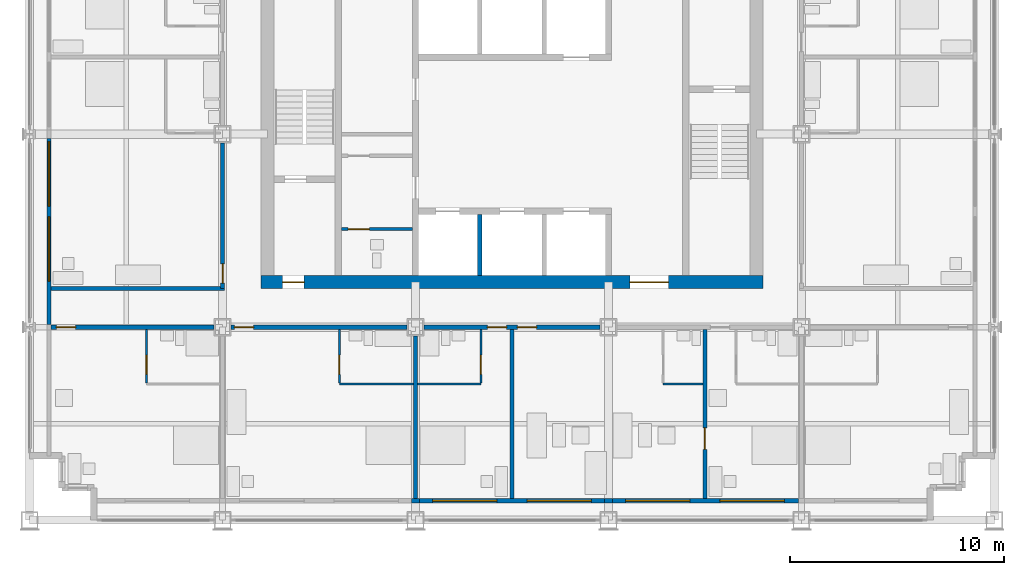
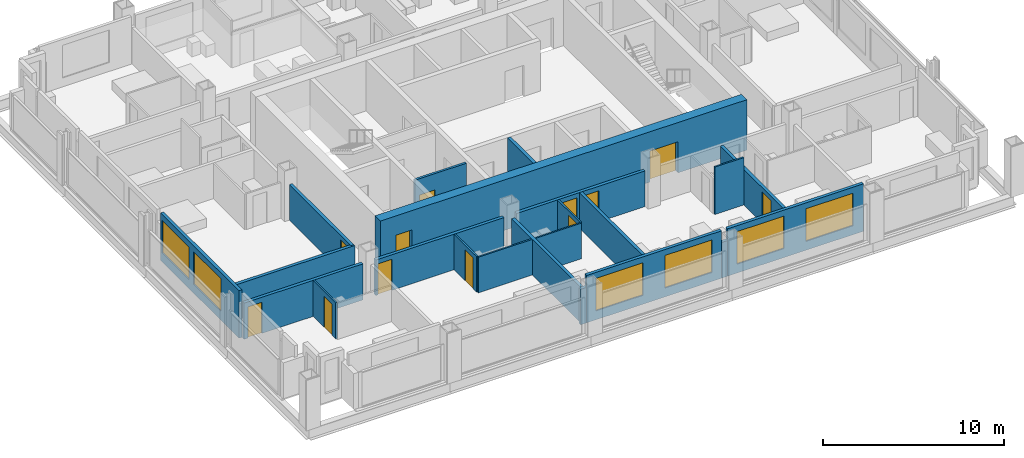
# One storey, part 9 of 16: 22 walls, 12 doors, 6 windows, 18 openings.
"""IFC4 building model written with IfcOpenShell, lengths in metres."""

from ifc_helpers import new_model, si_unit, direction, frame, frame_2d, origin, place, context, subcontext, project, spatial, rectangle, extrude, material, layer, layer_set, type_object, element, fill, save


model = new_model("IFC4")

# Units and contexts
model_context = context("Model", 3, precision=1e-05, world=origin(), true_north=direction((0.0, 1.0)))
body_context = subcontext(model_context, "Body", "Model", "MODEL_VIEW")
ifc_project = project(units=[si_unit("LENGTHUNIT", "METRE"), si_unit("AREAUNIT", "SQUARE_METRE"), si_unit("VOLUMEUNIT", "CUBIC_METRE"), si_unit("PLANEANGLEUNIT", "RADIAN"), si_unit("MASSUNIT", "GRAM", prefix="KILO")], contexts=[model_context])

# Site, building, storey
site_placement = place(None, origin())
site = spatial("IfcSite", under=ifc_project, at=site_placement, CompositionType="ELEMENT")
building_placement = place(site_placement, origin())
building = spatial("IfcBuilding", under=site, at=building_placement, Name="Loomwork Tower", CompositionType="ELEMENT")
storey_placement = place(building_placement, frame((0.0, 0.0, 148.60009765625)))
storey = spatial("IfcBuildingStorey", under=building, at=storey_placement, Name="L40", CompositionType="ELEMENT", Elevation=148.60009765625)

# Wall, openings, doors
ifc_material_1 = material(Name="Concrete 14000 psi (97 MPa)", Category="concrete")
ifc_layer_1 = layer(ifc_material_1, 0.60009765625)
ifc_layer_set_1 = layer_set([ifc_layer_1], Name="Core shear wall 600")
wall_type_1 = type_object("IfcWallType", Name="Core shear wall 600", PredefinedType="SHEAR", material=ifc_layer_set_1)
wall_1_placement = place(storey_placement, frame((10.800048828125, 11.10009765625, 0.0), z_axis=(0.0, 0.0, 1.0), x_axis=(1.0, 0.0, 0.0)))
wall_1 = element("IfcWall", 1, at=wall_1_placement, inside=storey, type_object=wall_type_1, Name="Core wall south L40", PredefinedType="SHEAR", context=body_context, shape_type="SweptSolid", body=[
    extrude(rectangle(XDim=23.39990234375, YDim=0.60009765625, at=frame_2d((11.699951171875, 0.0))), origin(), (0.0, 0.0, 1.0), 3.39990234375),
])
opening_1_placement = place(wall_1_placement, frame((1.0, 0.0, 0.0)))
opening_1 = element("IfcOpeningElement", 2, at=opening_1_placement, cuts=wall_1, Name="Opening D4", PredefinedType="OPENING", context=body_context, shape_type="SweptSolid", body=[
    extrude(rectangle(XDim=1.0, YDim=2.10009765625, at=frame_2d((0.5, 1.050048828125))), frame((0.0, 0.31005859375, 0.0), z_axis=(0.0, -1.0, 0.0), x_axis=(1.0, 0.0, 0.0)), (0.0, 0.0, 1.0), 0.6201171875),
])
opening_2_placement = place(wall_1_placement, frame((17.199951171875, 0.0, 0.0)))
opening_2 = element("IfcOpeningElement", 3, at=opening_2_placement, cuts=wall_1, Name="Opening D6", PredefinedType="OPENING", context=body_context, shape_type="SweptSolid", body=[
    extrude(rectangle(XDim=1.800048828125, YDim=2.10009765625, at=frame_2d((0.89990234375, 1.050048828125))), frame((0.0, 0.31005859375, 0.0), z_axis=(0.0, -1.0, 0.0), x_axis=(1.0, 0.0, 0.0)), (0.0, 0.0, 1.0), 0.6201171875),
])
ifc_material_2 = material(Name="Hollow metal door and frame")
door_type_1 = type_object("IfcDoorType", Name="Lobby passage double door 1800", OperationType="DOUBLE_DOOR_SINGLE_SWING", PredefinedType="DOOR", material=ifc_material_2)
door_1_placement = place(opening_2_placement, origin())
door_1 = element("IfcDoor", 4, at=door_1_placement, inside=storey, type_object=door_type_1, Name="Lobby passage door south", OperationType="DOUBLE_DOOR_SINGLE_SWING", OverallHeight=2.10009765625, OverallWidth=1.800048828125, PredefinedType="DOOR", context=body_context, shape_type="SweptSolid", body=[
    extrude(rectangle(XDim=1.800048828125, YDim=2.10009765625, at=frame_2d((0.89990234375, 1.050048828125))), frame((0.0, 0.02490234375, 0.0), z_axis=(0.0, -1.0, 0.0), x_axis=(1.0, 0.0, 0.0)), (0.0, 0.0, 1.0), 0.050048828125),
])
fill(opening_2, door_1)
ifc_material_3 = material(Name="Hollow metal door and frame")
door_type_2 = type_object("IfcDoorType", Name="Stair door 1000", OperationType="SINGLE_SWING_RIGHT", PredefinedType="DOOR", material=ifc_material_3)
door_2_placement = place(opening_1_placement, origin())
door_2 = element("IfcDoor", 5, at=door_2_placement, inside=storey, type_object=door_type_2, Name="Stair A vestibule door", OperationType="SINGLE_SWING_LEFT", OverallHeight=2.10009765625, OverallWidth=1.0, PredefinedType="DOOR", context=body_context, shape_type="SweptSolid", body=[
    extrude(rectangle(XDim=1.0, YDim=2.10009765625, at=frame_2d((0.5, 1.050048828125))), frame((0.0, 0.02490234375, 0.0), z_axis=(0.0, -1.0, 0.0), x_axis=(1.0, 0.0, 0.0)), (0.0, 0.0, 1.0), 0.050048828125),
])
fill(opening_1, door_2)

# Wall, opening, door
ifc_material_4 = material(Name="Gypsum board on steel studs, one-hour", Category="steel")
ifc_layer_2 = layer(ifc_material_4, 0.199951171875)
ifc_layer_set_2 = layer_set([ifc_layer_2], Name="Corridor wall 200")
wall_type_2 = type_object("IfcWallType", Name="Corridor wall 200", PredefinedType="PARTITIONING", material=ifc_layer_set_2)
wall_2_placement = place(storey_placement, frame((1.0, 9.0, 0.0), z_axis=(0.0, 0.0, 1.0), x_axis=(1.0, 0.0, 0.0)))
wall_2 = element("IfcWall", 6, at=wall_2_placement, inside=storey, type_object=wall_type_2, Name="South corridor wall 1", PredefinedType="PARTITIONING", context=body_context, shape_type="SweptSolid", body=[
    extrude(rectangle(XDim=7.60009765625, YDim=0.199951171875, at=frame_2d((3.800048828125, 0.0))), origin(), (0.0, 0.0, 1.0), 2.43798828125),
])
opening_3_placement = place(wall_2_placement, frame((0.25, 0.0, 0.0)))
opening_3 = element("IfcOpeningElement", 7, at=opening_3_placement, cuts=wall_2, Name="Opening D1", PredefinedType="OPENING", context=body_context, shape_type="SweptSolid", body=[
    extrude(rectangle(XDim=0.89990234375, YDim=2.10009765625, at=frame_2d((0.449951171875, 1.050048828125))), frame((0.0, 0.10986328125, 0.0), z_axis=(0.0, -1.0, 0.0), x_axis=(1.0, 0.0, 0.0)), (0.0, 0.0, 1.0), 0.219970703125),
])
ifc_material_5 = material(Name="Hollow metal door and frame")
door_type_3 = type_object("IfcDoorType", Name="Guest room entry door 900", OperationType="SINGLE_SWING_LEFT", PredefinedType="DOOR", material=ifc_material_5)
door_3_placement = place(opening_3_placement, frame((0.89990234375, 0.0, 0.0), z_axis=(0.0, 0.0, 1.0), x_axis=(-1.0, 0.0, 0.0)))
door_3 = element("IfcDoor", 8, at=door_3_placement, inside=storey, type_object=door_type_3, Name="Guest room entry door L40 1", OperationType="SINGLE_SWING_RIGHT", OverallHeight=2.10009765625, OverallWidth=0.89990234375, PredefinedType="DOOR", context=body_context, shape_type="SweptSolid", body=[
    extrude(rectangle(XDim=0.89990234375, YDim=2.10009765625, at=frame_2d((0.449951171875, 1.050048828125))), frame((0.0, 0.02490234375, 0.0), z_axis=(0.0, -1.0, 0.0), x_axis=(1.0, 0.0, 0.0)), (0.0, 0.0, 1.0), 0.050048828125),
])
fill(opening_3, door_3)

wall_3_placement = place(storey_placement, frame((9.39990234375, 9.0, 0.0), z_axis=(0.0, 0.0, 1.0), x_axis=(1.0, 0.0, 0.0)))
wall_3 = element("IfcWall", 9, at=wall_3_placement, inside=storey, type_object=wall_type_2, Name="South corridor wall 2", PredefinedType="PARTITIONING", context=body_context, shape_type="SweptSolid", body=[
    extrude(rectangle(XDim=8.2001953125, YDim=0.199951171875, at=frame_2d((4.10009765625, 0.0))), origin(), (0.0, 0.0, 1.0), 2.40478515625),
])
opening_4_placement = place(wall_3_placement, frame((0.14990234375, 0.0, 0.0)))
opening_4 = element("IfcOpeningElement", 10, at=opening_4_placement, cuts=wall_3, Name="Opening D1", PredefinedType="OPENING", context=body_context, shape_type="SweptSolid", body=[
    extrude(rectangle(XDim=0.89990234375, YDim=2.10009765625, at=frame_2d((0.449951171875, 1.050048828125))), frame((0.0, 0.10986328125, 0.0), z_axis=(0.0, -1.0, 0.0), x_axis=(1.0, 0.0, 0.0)), (0.0, 0.0, 1.0), 0.219970703125),
])
door_4_placement = place(opening_4_placement, frame((0.89990234375, 0.0, 0.0), z_axis=(0.0, 0.0, 1.0), x_axis=(-1.0, 0.0, 0.0)))
door_4 = element("IfcDoor", 11, at=door_4_placement, inside=storey, type_object=door_type_3, Name="Guest room entry door L40 2", OperationType="SINGLE_SWING_RIGHT", OverallHeight=2.10009765625, OverallWidth=0.89990234375, PredefinedType="DOOR", context=body_context, shape_type="SweptSolid", body=[
    extrude(rectangle(XDim=0.89990234375, YDim=2.10009765625, at=frame_2d((0.449951171875, 1.050048828125))), frame((0.0, 0.02490234375, 0.0), z_axis=(0.0, -1.0, 0.0), x_axis=(1.0, 0.0, 0.0)), (0.0, 0.0, 1.0), 0.050048828125),
])
fill(opening_4, door_4)

# Wall, openings, doors
wall_4_placement = place(storey_placement, frame((18.39990234375, 9.0, 0.0), z_axis=(0.0, 0.0, 1.0), x_axis=(1.0, 0.0, 0.0)))
wall_4 = element("IfcWall", 12, at=wall_4_placement, inside=storey, type_object=wall_type_2, Name="South corridor wall 3", PredefinedType="PARTITIONING", context=body_context, shape_type="SweptSolid", body=[
    extrude(rectangle(XDim=8.2001953125, YDim=0.199951171875, at=frame_2d((4.10009765625, 0.0))), origin(), (0.0, 0.0, 1.0), 2.40478515625),
])
opening_5_placement = place(wall_4_placement, frame((2.949951171875, 0.0, 0.0)))
opening_5 = element("IfcOpeningElement", 13, at=opening_5_placement, cuts=wall_4, Name="Opening D1", PredefinedType="OPENING", context=body_context, shape_type="SweptSolid", body=[
    extrude(rectangle(XDim=0.89990234375, YDim=2.10009765625, at=frame_2d((0.449951171875, 1.050048828125))), frame((0.0, 0.10986328125, 0.0), z_axis=(0.0, -1.0, 0.0), x_axis=(1.0, 0.0, 0.0)), (0.0, 0.0, 1.0), 0.219970703125),
])
opening_6_placement = place(wall_4_placement, frame((4.35009765625, 0.0, 0.0)))
opening_6 = element("IfcOpeningElement", 14, at=opening_6_placement, cuts=wall_4, Name="Opening D1", PredefinedType="OPENING", context=body_context, shape_type="SweptSolid", body=[
    extrude(rectangle(XDim=0.89990234375, YDim=2.10009765625, at=frame_2d((0.449951171875, 1.050048828125))), frame((0.0, 0.10986328125, 0.0), z_axis=(0.0, -1.0, 0.0), x_axis=(1.0, 0.0, 0.0)), (0.0, 0.0, 1.0), 0.219970703125),
])
door_5_placement = place(opening_5_placement, frame((0.89990234375, 0.0, 0.0), z_axis=(0.0, 0.0, 1.0), x_axis=(-1.0, 0.0, 0.0)))
door_5 = element("IfcDoor", 15, at=door_5_placement, inside=storey, type_object=door_type_3, Name="Guest room entry door L40 3", OperationType="SINGLE_SWING_LEFT", OverallHeight=2.10009765625, OverallWidth=0.89990234375, PredefinedType="DOOR", context=body_context, shape_type="SweptSolid", body=[
    extrude(rectangle(XDim=0.89990234375, YDim=2.10009765625, at=frame_2d((0.449951171875, 1.050048828125))), frame((0.0, 0.02490234375, 0.0), z_axis=(0.0, -1.0, 0.0), x_axis=(1.0, 0.0, 0.0)), (0.0, 0.0, 1.0), 0.050048828125),
])
fill(opening_5, door_5)
door_6_placement = place(opening_6_placement, frame((0.89990234375, 0.0, 0.0), z_axis=(0.0, 0.0, 1.0), x_axis=(-1.0, 0.0, 0.0)))
door_6 = element("IfcDoor", 16, at=door_6_placement, inside=storey, type_object=door_type_3, Name="Guest room entry door L40 4", OperationType="SINGLE_SWING_RIGHT", OverallHeight=2.10009765625, OverallWidth=0.89990234375, PredefinedType="DOOR", context=body_context, shape_type="SweptSolid", body=[
    extrude(rectangle(XDim=0.89990234375, YDim=2.10009765625, at=frame_2d((0.449951171875, 1.050048828125))), frame((0.0, 0.02490234375, 0.0), z_axis=(0.0, -1.0, 0.0), x_axis=(1.0, 0.0, 0.0)), (0.0, 0.0, 1.0), 0.050048828125),
])
fill(opening_6, door_6)

# Wall, opening, door
wall_5_placement = place(storey_placement, frame((9.0, 10.800048828125, 0.0), z_axis=(0.0, 0.0, 1.0), x_axis=(0.0, 1.0, 0.0)))
wall_5 = element("IfcWall", 17, at=wall_5_placement, inside=storey, type_object=wall_type_2, Name="West corridor wall 1", PredefinedType="PARTITIONING", context=body_context, shape_type="SweptSolid", body=[
    extrude(rectangle(XDim=6.800048828125, YDim=0.199951171875, at=frame_2d((3.39990234375, 0.0))), origin(), (0.0, 0.0, 1.0), 2.40478515625),
])
opening_7_placement = place(wall_5_placement, frame((0.25, 0.0, 0.0)))
opening_7 = element("IfcOpeningElement", 18, at=opening_7_placement, cuts=wall_5, Name="Opening D1", PredefinedType="OPENING", context=body_context, shape_type="SweptSolid", body=[
    extrude(rectangle(XDim=0.89990234375, YDim=2.10009765625, at=frame_2d((0.449951171875, 1.050048828125))), frame((0.0, 0.10986328125, 0.0), z_axis=(0.0, -1.0, 0.0), x_axis=(1.0, 0.0, 0.0)), (0.0, 0.0, 1.0), 0.219970703125),
])
door_7_placement = place(opening_7_placement, origin())
door_7 = element("IfcDoor", 19, at=door_7_placement, inside=storey, type_object=door_type_3, Name="Guest room entry door L40 13", OperationType="SINGLE_SWING_LEFT", OverallHeight=2.10009765625, OverallWidth=0.89990234375, PredefinedType="DOOR", context=body_context, shape_type="SweptSolid", body=[
    extrude(rectangle(XDim=0.89990234375, YDim=2.10009765625, at=frame_2d((0.449951171875, 1.050048828125))), frame((0.0, 0.02490234375, 0.0), z_axis=(0.0, -1.0, 0.0), x_axis=(1.0, 0.0, 0.0)), (0.0, 0.0, 1.0), 0.050048828125),
])
fill(opening_7, door_7)

# Wall
wall_6_placement = place(storey_placement, frame((1.0, 10.800048828125, 0.0), z_axis=(0.0, 0.0, 1.0), x_axis=(1.0, 0.0, 0.0)))
element("IfcWall", 20, at=wall_6_placement, inside=storey, type_object=wall_type_2, Name="West band end wall S", PredefinedType="PARTITIONING", context=body_context, shape_type="SweptSolid", body=[
    extrude(rectangle(XDim=8.10009765625, YDim=0.199951171875, at=frame_2d((4.050048828125, 0.0))), origin(), (0.0, 0.0, 1.0), 2.40380859375),
])

# Wall, opening, door
ifc_material_6 = material(Name="Cement board on steel studs", Category="steel")
ifc_layer_3 = layer(ifc_material_6, 0.10009765625)
ifc_layer_set_3 = layer_set([ifc_layer_3], Name="En-suite partition 100")
wall_type_3 = type_object("IfcWallType", Name="En-suite partition 100", PredefinedType="PARTITIONING", material=ifc_layer_set_3)
wall_7_placement = place(storey_placement, frame((5.449951171875, 8.89990234375, 0.0), z_axis=(0.0, 0.0, 1.0), x_axis=(0.0, -1.0, 0.0)))
wall_7 = element("IfcWall", 21, at=wall_7_placement, inside=storey, type_object=wall_type_3, Name="En-suite side wall L40 room 1", PredefinedType="PARTITIONING", context=body_context, shape_type="SweptSolid", body=[
    extrude(rectangle(XDim=2.5, YDim=0.10009765625, at=frame_2d((1.25, 0.0))), origin(), (0.0, 0.0, 1.0), 2.43798828125),
])
opening_8_placement = place(wall_7_placement, frame((1.199951171875, 0.0, 0.0)))
opening_8 = element("IfcOpeningElement", 22, at=opening_8_placement, cuts=wall_7, Name="Opening D3", PredefinedType="OPENING", context=body_context, shape_type="SweptSolid", body=[
    extrude(rectangle(XDim=0.89990234375, YDim=2.10009765625, at=frame_2d((0.449951171875, 1.050048828125))), frame((0.0, 0.06005859375, 0.0), z_axis=(0.0, -1.0, 0.0), x_axis=(1.0, 0.0, 0.0)), (0.0, 0.0, 1.0), 0.1201171875),
])
ifc_material_7 = material(Name="Hollow metal door and frame")
door_type_4 = type_object("IfcDoorType", Name="Accessible en-suite door 900", OperationType="SLIDING_TO_LEFT", PredefinedType="DOOR", material=ifc_material_7)
door_8_placement = place(opening_8_placement, origin())
door_8 = element("IfcDoor", 23, at=door_8_placement, inside=storey, type_object=door_type_4, Name="Accessible en-suite door room 1", OperationType="SLIDING_TO_LEFT", OverallHeight=2.10009765625, OverallWidth=0.89990234375, PredefinedType="DOOR", context=body_context, shape_type="SweptSolid", body=[
    extrude(rectangle(XDim=0.89990234375, YDim=2.10009765625, at=frame_2d((0.449951171875, 1.050048828125))), frame((0.0, 0.02490234375, 0.0), z_axis=(0.0, -1.0, 0.0), x_axis=(1.0, 0.0, 0.0)), (0.0, 0.0, 1.0), 0.050048828125),
])
fill(opening_8, door_8)

# Wall
wall_8_placement = place(storey_placement, frame((14.449951171875, 6.35009765625, 0.0), z_axis=(0.0, 0.0, 1.0), x_axis=(1.0, 0.0, 0.0)))
element("IfcWall", 24, at=wall_8_placement, inside=storey, type_object=wall_type_3, Name="En-suite wall L40 room 2", PredefinedType="PARTITIONING", context=body_context, shape_type="SweptSolid", body=[
    extrude(rectangle(XDim=3.449951171875, YDim=0.10009765625, at=frame_2d((1.72509765625, 0.0))), origin(), (0.0, 0.0, 1.0), 2.40380859375),
])

# Wall, opening, door
wall_9_placement = place(storey_placement, frame((14.449951171875, 8.89990234375, 0.0), z_axis=(0.0, 0.0, 1.0), x_axis=(0.0, -1.0, 0.0)))
wall_9 = element("IfcWall", 25, at=wall_9_placement, inside=storey, type_object=wall_type_3, Name="En-suite side wall L40 room 2", PredefinedType="PARTITIONING", context=body_context, shape_type="SweptSolid", body=[
    extrude(rectangle(XDim=2.5, YDim=0.10009765625, at=frame_2d((1.25, 0.0))), origin(), (0.0, 0.0, 1.0), 2.40380859375),
])
opening_9_placement = place(wall_9_placement, frame((1.199951171875, 0.0, 0.0)))
opening_9 = element("IfcOpeningElement", 26, at=opening_9_placement, cuts=wall_9, Name="Opening D2", PredefinedType="OPENING", context=body_context, shape_type="SweptSolid", body=[
    extrude(rectangle(XDim=0.89990234375, YDim=2.10009765625, at=frame_2d((0.449951171875, 1.050048828125))), frame((0.0, 0.06005859375, 0.0), z_axis=(0.0, -1.0, 0.0), x_axis=(1.0, 0.0, 0.0)), (0.0, 0.0, 1.0), 0.1201171875),
])
ifc_material_8 = material(Name="Hollow metal door and frame")
door_type_5 = type_object("IfcDoorType", Name="En-suite door 900", OperationType="SINGLE_SWING_LEFT", PredefinedType="DOOR", material=ifc_material_8)
door_9_placement = place(opening_9_placement, origin())
door_9 = element("IfcDoor", 27, at=door_9_placement, inside=storey, type_object=door_type_5, Name="En-suite door room 2", OperationType="SINGLE_SWING_RIGHT", OverallHeight=2.10009765625, OverallWidth=0.89990234375, PredefinedType="DOOR", context=body_context, shape_type="SweptSolid", body=[
    extrude(rectangle(XDim=0.89990234375, YDim=2.10009765625, at=frame_2d((0.449951171875, 1.050048828125))), frame((0.0, 0.02490234375, 0.0), z_axis=(0.0, -1.0, 0.0), x_axis=(1.0, 0.0, 0.0)), (0.0, 0.0, 1.0), 0.050048828125),
])
fill(opening_9, door_9)

# Wall
wall_10_placement = place(storey_placement, frame((18.10009765625, 6.35009765625, 0.0), z_axis=(0.0, 0.0, 1.0), x_axis=(1.0, 0.0, 0.0)))
element("IfcWall", 28, at=wall_10_placement, inside=storey, type_object=wall_type_3, Name="En-suite wall L40 room 3", PredefinedType="PARTITIONING", context=body_context, shape_type="SweptSolid", body=[
    extrude(rectangle(XDim=2.949951171875, YDim=0.10009765625, at=frame_2d((1.47509765625, 0.0))), origin(), (0.0, 0.0, 1.0), 2.40380859375),
])

# Wall, opening, door
wall_11_placement = place(storey_placement, frame((21.050048828125, 8.89990234375, 0.0), z_axis=(0.0, 0.0, 1.0), x_axis=(0.0, -1.0, 0.0)))
wall_11 = element("IfcWall", 29, at=wall_11_placement, inside=storey, type_object=wall_type_3, Name="En-suite side wall L40 room 3", PredefinedType="PARTITIONING", context=body_context, shape_type="SweptSolid", body=[
    extrude(rectangle(XDim=2.5, YDim=0.10009765625, at=frame_2d((1.25, 0.0))), origin(), (0.0, 0.0, 1.0), 2.40380859375),
])
opening_10_placement = place(wall_11_placement, frame((1.199951171875, 0.0, 0.0)))
opening_10 = element("IfcOpeningElement", 30, at=opening_10_placement, cuts=wall_11, Name="Opening D2", PredefinedType="OPENING", context=body_context, shape_type="SweptSolid", body=[
    extrude(rectangle(XDim=0.89990234375, YDim=2.10009765625, at=frame_2d((0.449951171875, 1.050048828125))), frame((0.0, 0.06005859375, 0.0), z_axis=(0.0, -1.0, 0.0), x_axis=(1.0, 0.0, 0.0)), (0.0, 0.0, 1.0), 0.1201171875),
])
door_10_placement = place(opening_10_placement, frame((0.89990234375, 0.0, 0.0), z_axis=(0.0, 0.0, 1.0), x_axis=(-1.0, 0.0, 0.0)))
door_10 = element("IfcDoor", 31, at=door_10_placement, inside=storey, type_object=door_type_5, Name="En-suite door room 3", OperationType="SINGLE_SWING_LEFT", OverallHeight=2.10009765625, OverallWidth=0.89990234375, PredefinedType="DOOR", context=body_context, shape_type="SweptSolid", body=[
    extrude(rectangle(XDim=0.89990234375, YDim=2.10009765625, at=frame_2d((0.449951171875, 1.050048828125))), frame((0.0, 0.02490234375, 0.0), z_axis=(0.0, -1.0, 0.0), x_axis=(1.0, 0.0, 0.0)), (0.0, 0.0, 1.0), 0.050048828125),
])
fill(opening_10, door_10)

# Walls
wall_12_placement = place(storey_placement, frame((29.550048828125, 6.35009765625, 0.0), z_axis=(0.0, 0.0, 1.0), x_axis=(1.0, 0.0, 0.0)))
element("IfcWall", 32, at=wall_12_placement, inside=storey, type_object=wall_type_3, Name="En-suite wall L40 room 4", PredefinedType="PARTITIONING", context=body_context, shape_type="SweptSolid", body=[
    extrude(rectangle(XDim=1.849853515625, YDim=0.10009765625, at=frame_2d((0.9248046875, 0.0))), origin(), (0.0, 0.0, 1.0), 3.199951171875),
])
ifc_material_9 = material(Name="Gypsum board on steel studs, acoustic", Category="steel")
ifc_layer_4 = layer(ifc_material_9, 0.199951171875)
ifc_layer_set_4 = layer_set([ifc_layer_4], Name="Guest room party wall 200")
wall_type_4 = type_object("IfcWallType", Name="Guest room party wall 200", PredefinedType="PARTITIONING", material=ifc_layer_set_4)
wall_13_placement = place(storey_placement, frame((18.0, 8.60009765625, 0.0), z_axis=(0.0, 0.0, 1.0), x_axis=(0.0, -1.0, 0.0)))
element("IfcWall", 33, at=wall_13_placement, inside=storey, type_object=wall_type_4, Name="Guest room party wall S 18", PredefinedType="PARTITIONING", context=body_context, shape_type="SweptSolid", body=[
    extrude(rectangle(XDim=7.60009765625, YDim=0.199951171875, at=frame_2d((3.800048828125, 0.0))), origin(), (0.0, 0.0, 1.0), 2.40478515625),
])
wall_14_placement = place(storey_placement, frame((22.5, 8.89990234375, 0.0), z_axis=(0.0, 0.0, 1.0), x_axis=(0.0, -1.0, 0.0)))
element("IfcWall", 34, at=wall_14_placement, inside=storey, type_object=wall_type_4, Name="Guest room party wall S 22.5", PredefinedType="PARTITIONING", context=body_context, shape_type="SweptSolid", body=[
    extrude(rectangle(XDim=7.89990234375, YDim=0.199951171875, at=frame_2d((3.949951171875, 0.0))), origin(), (0.0, 0.0, 1.0), 2.40380859375),
])

# Wall, opening, door
wall_15_placement = place(storey_placement, frame((31.5, 8.89990234375, 0.0), z_axis=(0.0, 0.0, 1.0), x_axis=(0.0, -1.0, 0.0)))
wall_15 = element("IfcWall", 35, at=wall_15_placement, inside=storey, type_object=wall_type_4, Name="Guest room party wall S 31.5", PredefinedType="PARTITIONING", context=body_context, shape_type="SweptSolid", body=[
    extrude(rectangle(XDim=7.89990234375, YDim=0.199951171875, at=frame_2d((3.949951171875, 0.0))), origin(), (0.0, 0.0, 1.0), 2.40380859375),
])
opening_11_placement = place(wall_15_placement, frame((4.60009765625, 0.0, 0.0)))
opening_11 = element("IfcOpeningElement", 36, at=opening_11_placement, cuts=wall_15, Name="Opening D7", PredefinedType="OPENING", context=body_context, shape_type="SweptSolid", body=[
    extrude(rectangle(XDim=1.0, YDim=2.10009765625, at=frame_2d((0.5, 1.050048828125))), frame((0.0, 0.10986328125, 0.0), z_axis=(0.0, -1.0, 0.0), x_axis=(1.0, 0.0, 0.0)), (0.0, 0.0, 1.0), 0.219970703125),
])
ifc_material_10 = material(Name="Hollow metal door and frame")
door_type_6 = type_object("IfcDoorType", Name="Room door 1000", OperationType="SINGLE_SWING_LEFT", PredefinedType="DOOR", material=ifc_material_10)
door_11_placement = place(opening_11_placement, origin())
door_11 = element("IfcDoor", 37, at=door_11_placement, inside=storey, type_object=door_type_6, Name="Suite connecting door L40 S 31.5", OperationType="SINGLE_SWING_LEFT", OverallHeight=2.10009765625, OverallWidth=1.0, PredefinedType="DOOR", context=body_context, shape_type="SweptSolid", body=[
    extrude(rectangle(XDim=1.0, YDim=2.10009765625, at=frame_2d((0.5, 1.050048828125))), frame((0.0, 0.02490234375, 0.0), z_axis=(0.0, -1.0, 0.0), x_axis=(1.0, 0.0, 0.0)), (0.0, 0.0, 1.0), 0.050048828125),
])
fill(opening_11, door_11)

# Wall
ifc_material_11 = material(Name="Insulated steel stud wall with gypsum lining", Category="steel")
ifc_layer_5 = layer(ifc_material_11, 0.199951171875)
ifc_layer_set_5 = layer_set([ifc_layer_5], Name="Inner skin wall 200")
wall_type_5 = type_object("IfcWallType", Name="Inner skin wall 200", PredefinedType="SOLIDWALL", material=ifc_layer_set_5)
wall_16_placement = place(storey_placement, frame((17.80615234375, 0.89990234375, 0.0), z_axis=(0.0, 0.0, 1.0), x_axis=(1.0, 0.0, 0.0)))
element("IfcWall", 38, at=wall_16_placement, inside=storey, type_object=wall_type_5, Name="Inner skin wall S bay 4", PredefinedType="SOLIDWALL", context=body_context, shape_type="SweptSolid", body=[
    extrude(rectangle(XDim=0.3876953125, YDim=0.199951171875, at=frame_2d((0.19384765625, 0.0))), origin(), (0.0, 0.0, 1.0), 2.40380859375),
])

# Wall, openings, windows
wall_17_placement = place(storey_placement, frame((18.19384765625, 0.89990234375, 0.0), z_axis=(0.0, 0.0, 1.0), x_axis=(1.0, 0.0, 0.0)))
wall_17 = element("IfcWall", 39, at=wall_17_placement, inside=storey, type_object=wall_type_5, Name="Inner skin wall S bay 5", PredefinedType="SOLIDWALL", context=body_context, shape_type="SweptSolid", body=[
    extrude(rectangle(XDim=8.6123046875, YDim=0.199951171875, at=frame_2d((4.30615234375, 0.0))), origin(), (0.0, 0.0, 1.0), 3.199951171875),
])
opening_12_placement = place(wall_17_placement, frame((0.606201171875, 0.0, 0.60009765625)))
opening_12 = element("IfcOpeningElement", 40, at=opening_12_placement, cuts=wall_17, Name="Opening CH1", PredefinedType="OPENING", context=body_context, shape_type="SweptSolid", body=[
    extrude(rectangle(XDim=3.0, YDim=2.199951171875, at=frame_2d((1.5, 1.10009765625))), frame((0.0, 0.10986328125, 0.0), z_axis=(0.0, -1.0, 0.0), x_axis=(1.0, 0.0, 0.0)), (0.0, 0.0, 1.0), 0.219970703125),
])
opening_13_placement = place(wall_17_placement, frame((5.006103515625, 0.0, 0.60009765625)))
opening_13 = element("IfcOpeningElement", 41, at=opening_13_placement, cuts=wall_17, Name="Opening CH1", PredefinedType="OPENING", context=body_context, shape_type="SweptSolid", body=[
    extrude(rectangle(XDim=3.0, YDim=2.199951171875, at=frame_2d((1.5, 1.10009765625))), frame((0.0, 0.10986328125, 0.0), z_axis=(0.0, -1.0, 0.0), x_axis=(1.0, 0.0, 0.0)), (0.0, 0.0, 1.0), 0.219970703125),
])
ifc_material_12 = material(Name="Aluminium frame with clear insulated glass", Category="aluminium")
window_type = type_object("IfcWindowType", Name="Chicago window 3000", PartitioningType="TRIPLE_PANEL_VERTICAL", PredefinedType="WINDOW", material=ifc_material_12)
window_1_placement = place(opening_12_placement, origin())
window_1 = element("IfcWindow", 42, at=window_1_placement, inside=storey, type_object=window_type, Name="Chicago window L40 bay 3", OverallHeight=2.199951171875, OverallWidth=3.0, PartitioningType="TRIPLE_PANEL_VERTICAL", PredefinedType="WINDOW", context=body_context, shape_type="SweptSolid", body=[
    extrude(rectangle(XDim=3.0, YDim=2.199951171875, at=frame_2d((1.5, 1.10009765625))), frame((0.0, 0.030029296875, 0.0), z_axis=(0.0, -1.0, 0.0), x_axis=(1.0, 0.0, 0.0)), (0.0, 0.0, 1.0), 0.06005859375),
])
fill(opening_12, window_1)
window_2_placement = place(opening_13_placement, origin())
window_2 = element("IfcWindow", 43, at=window_2_placement, inside=storey, type_object=window_type, Name="Chicago window L40 bay 3", OverallHeight=2.199951171875, OverallWidth=3.0, PartitioningType="TRIPLE_PANEL_VERTICAL", PredefinedType="WINDOW", context=body_context, shape_type="SweptSolid", body=[
    extrude(rectangle(XDim=3.0, YDim=2.199951171875, at=frame_2d((1.5, 1.10009765625))), frame((0.0, 0.030029296875, 0.0), z_axis=(0.0, -1.0, 0.0), x_axis=(1.0, 0.0, 0.0)), (0.0, 0.0, 1.0), 0.06005859375),
])
fill(opening_13, window_2)

# Wall
wall_18_placement = place(storey_placement, frame((26.80615234375, 0.89990234375, 0.0), z_axis=(0.0, 0.0, 1.0), x_axis=(1.0, 0.0, 0.0)))
element("IfcWall", 44, at=wall_18_placement, inside=storey, type_object=wall_type_5, Name="Inner skin wall S bay 6", PredefinedType="SOLIDWALL", context=body_context, shape_type="SweptSolid", body=[
    extrude(rectangle(XDim=0.3876953125, YDim=0.199951171875, at=frame_2d((0.19384765625, 0.0))), origin(), (0.0, 0.0, 1.0), 2.40380859375),
])

# Wall, openings, windows
wall_19_placement = place(storey_placement, frame((27.19384765625, 0.89990234375, 0.0), z_axis=(0.0, 0.0, 1.0), x_axis=(1.0, 0.0, 0.0)))
wall_19 = element("IfcWall", 45, at=wall_19_placement, inside=storey, type_object=wall_type_5, Name="Inner skin wall S bay 7", PredefinedType="SOLIDWALL", context=body_context, shape_type="SweptSolid", body=[
    extrude(rectangle(XDim=8.670654296875, YDim=0.199951171875, at=frame_2d((4.33544921875, 0.0))), origin(), (0.0, 0.0, 1.0), 3.199951171875),
])
opening_14_placement = place(wall_19_placement, frame((0.606201171875, 0.0, 0.60009765625)))
opening_14 = element("IfcOpeningElement", 46, at=opening_14_placement, cuts=wall_19, Name="Opening CH1", PredefinedType="OPENING", context=body_context, shape_type="SweptSolid", body=[
    extrude(rectangle(XDim=3.0, YDim=2.199951171875, at=frame_2d((1.5, 1.10009765625))), frame((0.0, 0.10986328125, 0.0), z_axis=(0.0, -1.0, 0.0), x_axis=(1.0, 0.0, 0.0)), (0.0, 0.0, 1.0), 0.219970703125),
])
opening_15_placement = place(wall_19_placement, frame((5.006103515625, 0.0, 0.60009765625)))
opening_15 = element("IfcOpeningElement", 47, at=opening_15_placement, cuts=wall_19, Name="Opening CH1", PredefinedType="OPENING", context=body_context, shape_type="SweptSolid", body=[
    extrude(rectangle(XDim=3.0, YDim=2.199951171875, at=frame_2d((1.5, 1.10009765625))), frame((0.0, 0.10986328125, 0.0), z_axis=(0.0, -1.0, 0.0), x_axis=(1.0, 0.0, 0.0)), (0.0, 0.0, 1.0), 0.219970703125),
])
window_3_placement = place(opening_14_placement, origin())
window_3 = element("IfcWindow", 48, at=window_3_placement, inside=storey, type_object=window_type, Name="Chicago window L40 bay 4", OverallHeight=2.199951171875, OverallWidth=3.0, PartitioningType="TRIPLE_PANEL_VERTICAL", PredefinedType="WINDOW", context=body_context, shape_type="SweptSolid", body=[
    extrude(rectangle(XDim=3.0, YDim=2.199951171875, at=frame_2d((1.5, 1.10009765625))), frame((0.0, 0.030029296875, 0.0), z_axis=(0.0, -1.0, 0.0), x_axis=(1.0, 0.0, 0.0)), (0.0, 0.0, 1.0), 0.06005859375),
])
fill(opening_14, window_3)
window_4_placement = place(opening_15_placement, origin())
window_4 = element("IfcWindow", 49, at=window_4_placement, inside=storey, type_object=window_type, Name="Chicago window L40 bay 4", OverallHeight=2.199951171875, OverallWidth=3.0, PartitioningType="TRIPLE_PANEL_VERTICAL", PredefinedType="WINDOW", context=body_context, shape_type="SweptSolid", body=[
    extrude(rectangle(XDim=3.0, YDim=2.199951171875, at=frame_2d((1.5, 1.10009765625))), frame((0.0, 0.030029296875, 0.0), z_axis=(0.0, -1.0, 0.0), x_axis=(1.0, 0.0, 0.0)), (0.0, 0.0, 1.0), 0.06005859375),
])
fill(opening_15, window_4)

wall_20_placement = place(storey_placement, frame((0.89990234375, 9.13525390625, 0.0), z_axis=(0.0, 0.0, 1.0), x_axis=(0.0, 1.0, 0.0)))
wall_20 = element("IfcWall", 50, at=wall_20_placement, inside=storey, type_object=wall_type_5, Name="Inner skin wall W bay 5", PredefinedType="SOLIDWALL", context=body_context, shape_type="SweptSolid", body=[
    extrude(rectangle(XDim=8.6708984375, YDim=0.199951171875, at=frame_2d((4.33544921875, 0.0))), origin(), (0.0, 0.0, 1.0), 3.199951171875),
])
opening_16_placement = place(wall_20_placement, frame((2.0146484375, 0.0, 0.60009765625)))
opening_16 = element("IfcOpeningElement", 51, at=opening_16_placement, cuts=wall_20, Name="Opening CH1", PredefinedType="OPENING", context=body_context, shape_type="SweptSolid", body=[
    extrude(rectangle(XDim=3.0, YDim=2.199951171875, at=frame_2d((1.5, 1.10009765625))), frame((0.0, 0.10986328125, 0.0), z_axis=(0.0, -1.0, 0.0), x_axis=(1.0, 0.0, 0.0)), (0.0, 0.0, 1.0), 0.219970703125),
])
opening_17_placement = place(wall_20_placement, frame((5.5146484375, 0.0, 0.60009765625)))
opening_17 = element("IfcOpeningElement", 52, at=opening_17_placement, cuts=wall_20, Name="Opening CH1", PredefinedType="OPENING", context=body_context, shape_type="SweptSolid", body=[
    extrude(rectangle(XDim=3.0, YDim=2.199951171875, at=frame_2d((1.5, 1.10009765625))), frame((0.0, 0.10986328125, 0.0), z_axis=(0.0, -1.0, 0.0), x_axis=(1.0, 0.0, 0.0)), (0.0, 0.0, 1.0), 0.219970703125),
])
window_5_placement = place(opening_16_placement, origin())
window_5 = element("IfcWindow", 53, at=window_5_placement, inside=storey, type_object=window_type, Name="Chicago window L40 bay 11", OverallHeight=2.199951171875, OverallWidth=3.0, PartitioningType="TRIPLE_PANEL_VERTICAL", PredefinedType="WINDOW", context=body_context, shape_type="SweptSolid", body=[
    extrude(rectangle(XDim=3.0, YDim=2.199951171875, at=frame_2d((1.5, 1.10009765625))), frame((0.0, 0.030029296875, 0.0), z_axis=(0.0, -1.0, 0.0), x_axis=(1.0, 0.0, 0.0)), (0.0, 0.0, 1.0), 0.06005859375),
])
fill(opening_16, window_5)
window_6_placement = place(opening_17_placement, origin())
window_6 = element("IfcWindow", 54, at=window_6_placement, inside=storey, type_object=window_type, Name="Chicago window L40 bay 11", OverallHeight=2.199951171875, OverallWidth=3.0, PartitioningType="TRIPLE_PANEL_VERTICAL", PredefinedType="WINDOW", context=body_context, shape_type="SweptSolid", body=[
    extrude(rectangle(XDim=3.0, YDim=2.199951171875, at=frame_2d((1.5, 1.10009765625))), frame((0.0, 0.030029296875, 0.0), z_axis=(0.0, -1.0, 0.0), x_axis=(1.0, 0.0, 0.0)), (0.0, 0.0, 1.0), 0.06005859375),
])
fill(opening_17, window_6)

# Wall
ifc_material_13 = material(Name="Concrete 14000 psi (97 MPa)", Category="concrete")
ifc_layer_6 = layer(ifc_material_13, 0.199951171875)
ifc_layer_set_6 = layer_set([ifc_layer_6], Name="Lift shaft wall 200")
wall_type_6 = type_object("IfcWallType", Name="Lift shaft wall 200", PredefinedType="SHEAR", material=ifc_layer_set_6)
wall_21_placement = place(storey_placement, frame((21.0, 11.39990234375, 0.0), z_axis=(0.0, 0.0, 1.0), x_axis=(0.0, 1.0, 0.0)))
element("IfcWall", 55, at=wall_21_placement, inside=storey, type_object=wall_type_6, Name="Lift shaft separation wall south 1 L40", PredefinedType="SHEAR", context=body_context, shape_type="SweptSolid", body=[
    extrude(rectangle(XDim=2.85009765625, YDim=0.199951171875, at=frame_2d((1.425048828125, 0.0))), origin(), (0.0, 0.0, 1.0), 3.39990234375),
])

# Wall, opening, door
ifc_material_14 = material(Name="Gypsum board on steel studs, one-hour", Category="steel")
ifc_layer_7 = layer(ifc_material_14, 0.14990234375)
ifc_layer_set_7 = layer_set([ifc_layer_7], Name="Service partition 150")
wall_type_7 = type_object("IfcWallType", Name="Service partition 150", PredefinedType="PARTITIONING", material=ifc_layer_set_7)
wall_22_placement = place(storey_placement, frame((14.550048828125, 13.574951171875, 0.0), z_axis=(0.0, 0.0, 1.0), x_axis=(1.0, 0.0, 0.0)))
wall_22 = element("IfcWall", 56, at=wall_22_placement, inside=storey, type_object=wall_type_7, Name="Back-of-house partition L40", PredefinedType="PARTITIONING", context=body_context, shape_type="SweptSolid", body=[
    extrude(rectangle(XDim=3.300048828125, YDim=0.14990234375, at=frame_2d((1.64990234375, 0.0))), origin(), (0.0, 0.0, 1.0), 3.199951171875),
])
opening_18_placement = place(wall_22_placement, frame((0.300048828125, 0.0, 0.0)))
opening_18 = element("IfcOpeningElement", 57, at=opening_18_placement, cuts=wall_22, Name="Opening D5", PredefinedType="OPENING", context=body_context, shape_type="SweptSolid", body=[
    extrude(rectangle(XDim=1.0, YDim=2.10009765625, at=frame_2d((0.5, 1.050048828125))), frame((0.0, 0.0849609375, 0.0), z_axis=(0.0, -1.0, 0.0), x_axis=(1.0, 0.0, 0.0)), (0.0, 0.0, 1.0), 0.169921875),
])
ifc_material_15 = material(Name="Hollow metal door and frame")
door_type_7 = type_object("IfcDoorType", Name="Service door 1000", OperationType="SINGLE_SWING_LEFT", PredefinedType="DOOR", material=ifc_material_15)
door_12_placement = place(opening_18_placement, frame((1.0, 0.0, 0.0), z_axis=(0.0, 0.0, 1.0), x_axis=(-1.0, 0.0, 0.0)))
door_12 = element("IfcDoor", 58, at=door_12_placement, inside=storey, type_object=door_type_7, Name="Back-of-house room door", OperationType="SINGLE_SWING_RIGHT", OverallHeight=2.10009765625, OverallWidth=1.0, PredefinedType="DOOR", context=body_context, shape_type="SweptSolid", body=[
    extrude(rectangle(XDim=1.0, YDim=2.10009765625, at=frame_2d((0.5, 1.050048828125))), frame((0.0, 0.02490234375, 0.0), z_axis=(0.0, -1.0, 0.0), x_axis=(1.0, 0.0, 0.0)), (0.0, 0.0, 1.0), 0.050048828125),
])
fill(opening_18, door_12)

save(model, "model.ifc")
